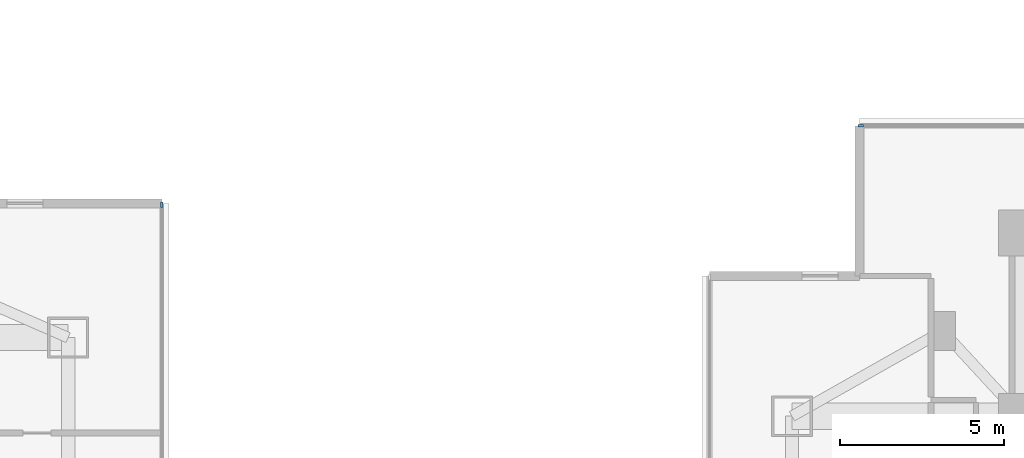
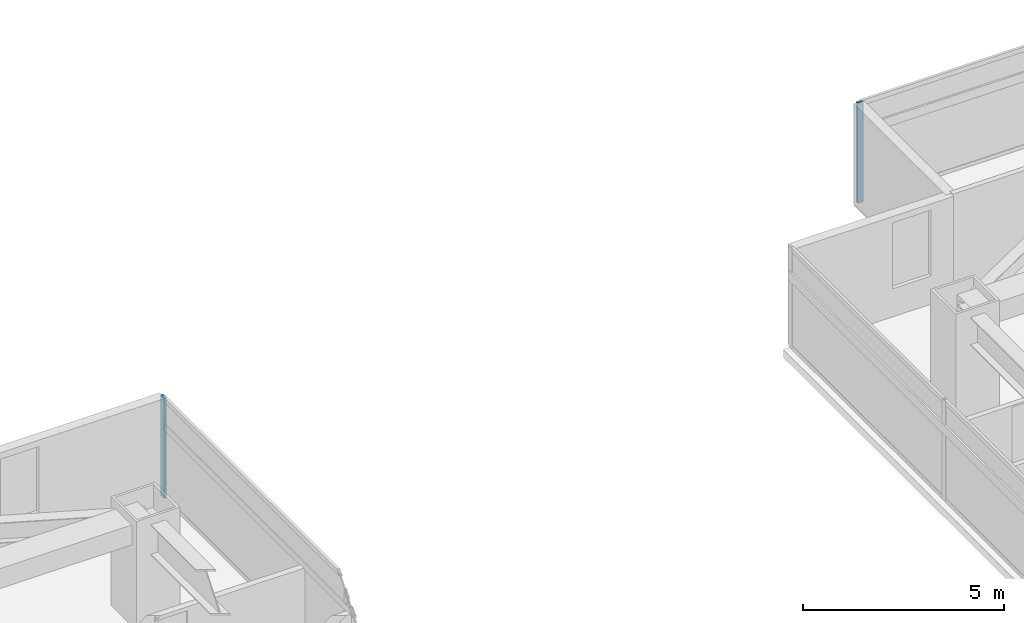
# One storey, part 7 of 26: 2 members, 2 elements without a shape of their own.
"""IFC4 building model written with IfcOpenShell, lengths in metres."""

from ifc_helpers import new_model, si_unit, direction, frame, origin, origin_2d, place, context, subcontext, project, spatial, rectangle, extrude, material, material_profile, profile_set, type_object, element, aggregate, save


model = new_model("IFC4")

# Units and contexts
model_context = context("Model", 3, precision=1e-05, world=origin(), true_north=direction((0.0, 1.0)))
body_context = subcontext(model_context, "Body", "Model", "MODEL_VIEW")
ifc_project = project(units=[si_unit("LENGTHUNIT", "METRE"), si_unit("AREAUNIT", "SQUARE_METRE"), si_unit("VOLUMEUNIT", "CUBIC_METRE"), si_unit("PLANEANGLEUNIT", "RADIAN"), si_unit("MASSUNIT", "GRAM", prefix="KILO")], contexts=[model_context])

# Site, building, storey
site_placement = place(None, origin())
site = spatial("IfcSite", under=ifc_project, at=site_placement, CompositionType="ELEMENT")
building_placement = place(site_placement, origin())
building = spatial("IfcBuilding", under=site, at=building_placement, Name="Mirazonda Arch Towers", CompositionType="ELEMENT")
storey_placement = place(building_placement, frame((0.0, 0.0, 25.699951171875)))
storey = spatial("IfcBuildingStorey", under=building, at=storey_placement, Name="L06", CompositionType="ELEMENT", Elevation=25.699951171875)

# Curtain wall, member
ifc_material_1 = material(Name="Anodised Aluminium and Low-E Glass", Category="aluminium")
curtain_wall_type = type_object("IfcCurtainWallType", Name="CW-HTL-UNIT", PredefinedType="NOTDEFINED", material=ifc_material_1)
curtain_wall_1_placement = place(storey_placement, origin())
curtain_wall_1 = element("IfcCurtainWall", 1, at=curtain_wall_1_placement, inside=storey, type_object=curtain_wall_type, Name="L06 T1 E Facade CW-L06-T1-E", PredefinedType="NOTDEFINED")
ifc_material_2 = material(Name="Anodised Aluminium Alloy", Category="aluminium")
ifc_material_profile = material_profile(ifc_material_2, rectangle(XDim=0.074951171875, YDim=0.1650390625, at=origin_2d()), Name="ALU-MULL-75x165")
ifc_profile_set = profile_set([ifc_material_profile], Name="Anodised Aluminium Alloy")
member_type = type_object("IfcMemberType", Name="MULL-CW-HTL-UNIT", PredefinedType="MULLION", material=ifc_profile_set)
member_1_placement = place(storey_placement, frame((41.760009765625, 41.660400390625, 0.0), z_axis=(0.0, 0.0, 1.0), x_axis=(-1.0, 0.0, 0.0)))
member_1 = element("IfcMember", 2, at=member_1_placement, type_object=member_type, Name="CW-112 mullion 4", PredefinedType="MULLION", context=body_context, shape_type="SweptSolid", body=[
    extrude(rectangle(XDim=0.074951171875, YDim=0.1650390625, at=origin_2d()), origin(), (0.0, 0.0, 1.0), 3.0400390625),
])
aggregate(curtain_wall_1, [member_1])

curtain_wall_2_placement = place(storey_placement, origin())
curtain_wall_2 = element("IfcCurtainWall", 3, at=curtain_wall_2_placement, inside=storey, type_object=curtain_wall_type, Name="L06 T2 N Facade CW-L06-T2-N", PredefinedType="NOTDEFINED")
member_2_placement = place(storey_placement, frame((63.099609375, 44.063232421875, 0.0), z_axis=(0.0, 0.0, 1.0), x_axis=(0.0, 1.0, 0.0)))
member_2 = element("IfcMember", 4, at=member_2_placement, type_object=member_type, Name="CW-112 mullion 1", PredefinedType="MULLION", context=body_context, shape_type="SweptSolid", body=[
    extrude(rectangle(XDim=0.074951171875, YDim=0.1650390625, at=origin_2d()), origin(), (0.0, 0.0, 1.0), 3.0400390625),
])
aggregate(curtain_wall_2, [member_2])

save(model, "model.ifc")
